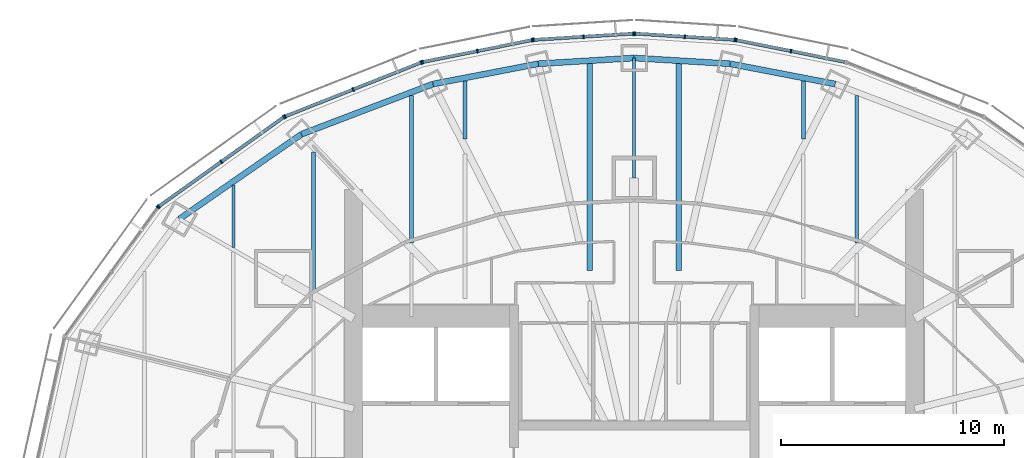
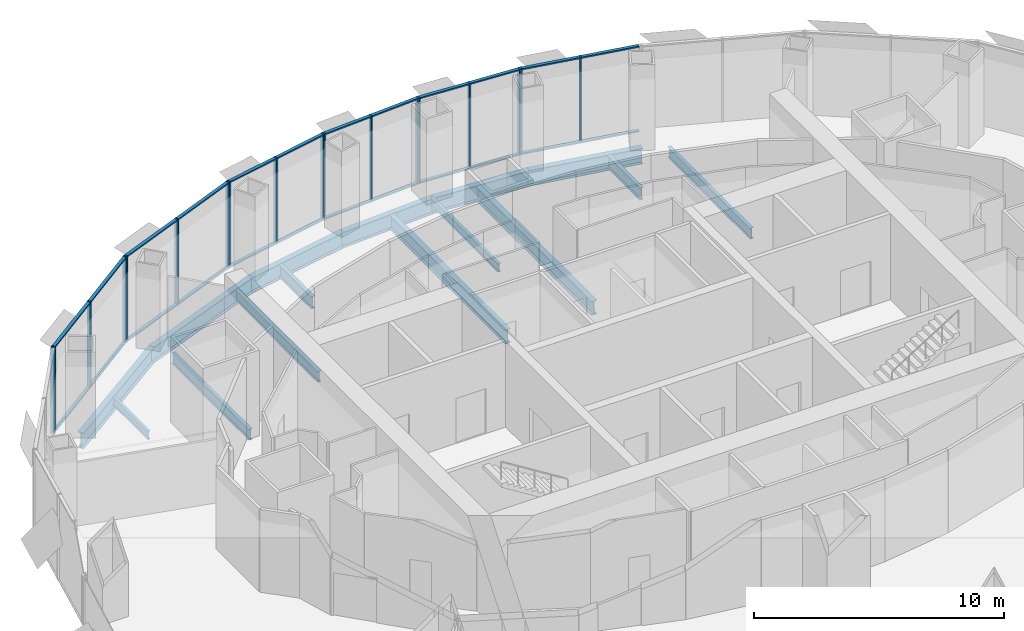
# One storey, part 8 of 17: 42 members, 15 beams, 7 elements without a shape of their own.
"""IFC4 building model written with IfcOpenShell, lengths in metres."""

from ifc_helpers import new_model, si_unit, direction, frame, origin, origin_2d, place, context, subcontext, project, spatial, rectangle, i_section, extrude, material, material_profile, profile_set, type_object, element, aggregate, save


model = new_model("IFC4")

# Units and contexts
model_context = context("Model", 3, precision=1e-05, world=origin(), true_north=direction((0.0, 1.0)))
body_context = subcontext(model_context, "Body", "Model", "MODEL_VIEW")
ifc_project = project(units=[si_unit("LENGTHUNIT", "METRE"), si_unit("AREAUNIT", "SQUARE_METRE"), si_unit("VOLUMEUNIT", "CUBIC_METRE"), si_unit("PLANEANGLEUNIT", "RADIAN"), si_unit("MASSUNIT", "GRAM", prefix="KILO")], contexts=[model_context])

# Site, building, storey
site_placement = place(None, origin())
site = spatial("IfcSite", under=ifc_project, at=site_placement, CompositionType="ELEMENT")
building_placement = place(site_placement, origin())
building = spatial("IfcBuilding", under=site, at=building_placement, Name="Lantaw Convention Tower", CompositionType="ELEMENT")
storey_placement = place(building_placement, frame((0.0, 0.0, 211.60009765625)))
storey = spatial("IfcBuildingStorey", under=building, at=storey_placement, Name="L49", CompositionType="ELEMENT", Elevation=211.60009765625)

# Beams
ifc_material_1 = material(Name="Steel ASTM A992", Category="steel")
ifc_material_profile_1 = material_profile(ifc_material_1, i_section(OverallWidth=0.2666015625, OverallDepth=0.76953125, WebThickness=0.015625, FlangeThickness=0.025390625, FilletRadius=0.0126953125, at=origin_2d()), Name="W30X132")
ifc_profile_set_1 = profile_set([ifc_material_profile_1], Name="Steel ASTM A992")
beam_type_1 = type_object("IfcBeamType", Name="Beam E W30X132", PredefinedType="SPANDREL", material=ifc_profile_set_1)
beam_1_placement = place(storey_placement, frame((9.03466796875, 17.7314453125, -0.534912109375), z_axis=(-0.981972091702, 0.189025953556, 0.0), x_axis=(-0.189025953556, -0.981972091702, 0.0)))
element("IfcBeam", 1, at=beam_1_placement, inside=storey, type_object=beam_type_1, Name="Edge beam 5", PredefinedType="SPANDREL", context=body_context, shape_type="SweptSolid", body=[
    extrude(i_section(OverallWidth=0.2666015625, OverallDepth=0.76953125, WebThickness=0.015625, FlangeThickness=0.025390625, FilletRadius=0.0126953125, at=origin_2d()), origin(), (0.0, 0.0, 1.0), 4.817626953125),
])
for number, where, z_axis, x_axis, name in (
    (2, (4.303955078125, 18.64208984375, -0.534912109375), (-0.998210730897, 0.059794119452, 0.0), (-0.059794119452, -0.998210730897, 0.0), "Edge beam 6"),
    (3, (0.0, 18.89990234375, -0.534912109375), (-0.998210730897, -0.059794119452, 0.0), (0.059794119452, -0.998210730897, 0.0), "Edge beam 7"),
):
    element("IfcBeam", number, at=place(storey_placement, frame(where, z_axis=z_axis, x_axis=x_axis)), inside=storey, type_object=beam_type_1, Name=name, PredefinedType="SPANDREL", context=body_context, shape_type="SweptSolid", body=[
        extrude(i_section(OverallWidth=0.2666015625, OverallDepth=0.76953125, WebThickness=0.015625, FlangeThickness=0.025390625, FilletRadius=0.0126953125, at=origin_2d()), origin(), (0.0, 0.0, 1.0), 4.311767578125),
    ])
beam_2_placement = place(storey_placement, frame((-4.303955078125, 18.64208984375, -0.534912109375), z_axis=(-0.981972091702, -0.189025953556, 0.0), x_axis=(0.189025953556, -0.981972091702, 0.0)))
element("IfcBeam", 4, at=beam_2_placement, inside=storey, type_object=beam_type_1, Name="Edge beam 8", PredefinedType="SPANDREL", context=body_context, shape_type="SweptSolid", body=[
    extrude(i_section(OverallWidth=0.2666015625, OverallDepth=0.76953125, WebThickness=0.015625, FlangeThickness=0.025390625, FilletRadius=0.0126953125, at=origin_2d()), origin(), (0.0, 0.0, 1.0), 4.817626953125),
])
beam_3_placement = place(storey_placement, frame((-9.03466796875, 17.7314453125, -0.534912109375), z_axis=(-0.934234988, -0.356658081637, 0.0), x_axis=(0.356658081637, -0.934234988, 0.0)))
element("IfcBeam", 5, at=beam_3_placement, inside=storey, type_object=beam_type_1, Name="Edge beam 9", PredefinedType="SPANDREL", context=body_context, shape_type="SweptSolid", body=[
    extrude(i_section(OverallWidth=0.2666015625, OverallDepth=0.76953125, WebThickness=0.015625, FlangeThickness=0.025390625, FilletRadius=0.0126953125, at=origin_2d()), origin(), (0.0, 0.0, 1.0), 6.32568359375),
])
beam_4_placement = place(storey_placement, frame((-14.9443359375, 15.475341796875, -0.534912109375), z_axis=(-0.82135329406, -0.570419815869, 0.0), x_axis=(0.570419815869, -0.82135329406, 0.0)))
element("IfcBeam", 6, at=beam_4_placement, inside=storey, type_object=beam_type_1, Name="Edge beam 10", PredefinedType="SPANDREL", context=body_context, shape_type="SweptSolid", body=[
    extrude(i_section(OverallWidth=0.2666015625, OverallDepth=0.76953125, WebThickness=0.015625, FlangeThickness=0.025390625, FilletRadius=0.0126953125, at=origin_2d()), origin(), (0.0, 0.0, 1.0), 6.67041015625),
])
ifc_material_profile_2 = material_profile(ifc_material_1, i_section(OverallWidth=0.140380859375, OverallDepth=0.40380859375, WebThickness=0.007080078125, FlangeThickness=0.01123046875, FilletRadius=0.01025390625, at=origin_2d()), Name="W16X31")
ifc_profile_set_2 = profile_set([ifc_material_profile_2], Name="Steel ASTM A992")
beam_type_2 = type_object("IfcBeamType", Name="Beam G W16X31", PredefinedType="BEAM", material=ifc_profile_set_2)
beam_5_placement = place(storey_placement, frame((0.0, 13.5, -0.35205078125), z_axis=(0.0, 1.0, 0.0), x_axis=(-1.0, 0.0, 0.0)))
element("IfcBeam", 7, at=beam_5_placement, inside=storey, type_object=beam_type_2, Name="Floor girder on ray 7", PredefinedType="BEAM", context=body_context, shape_type="SweptSolid", body=[
    extrude(i_section(OverallWidth=0.140380859375, OverallDepth=0.40380859375, WebThickness=0.007080078125, FlangeThickness=0.01123046875, FilletRadius=0.01025390625, at=origin_2d()), origin(), (0.0, 0.0, 1.0), 5.39990234375),
])
ifc_material_profile_3 = material_profile(ifc_material_1, i_section(OverallWidth=0.140380859375, OverallDepth=0.40380859375, WebThickness=0.007080078125, FlangeThickness=0.01123046875, FilletRadius=0.01025390625, at=origin_2d()), Name="W16X31")
ifc_profile_set_3 = profile_set([ifc_material_profile_3], Name="Steel ASTM A992")
beam_type_3 = type_object("IfcBeamType", Name="Beam J W16X31", PredefinedType="JOIST", material=ifc_profile_set_3)
beam_6_placement = place(storey_placement, frame((-18.0, 10.380859375, -0.35205078125), z_axis=(0.0, 1.0, 0.0), x_axis=(-1.0, 0.0, 0.0)))
element("IfcBeam", 8, at=beam_6_placement, inside=storey, type_object=beam_type_3, Name="Floor joist", PredefinedType="JOIST", context=body_context, shape_type="SweptSolid", body=[
    extrude(i_section(OverallWidth=0.140380859375, OverallDepth=0.40380859375, WebThickness=0.007080078125, FlangeThickness=0.01123046875, FilletRadius=0.01025390625, at=origin_2d()), origin(), (0.0, 0.0, 1.0), 2.81005859375),
])
ifc_material_profile_4 = material_profile(ifc_material_1, i_section(OverallWidth=0.1650390625, OverallDepth=0.52587890625, WebThickness=0.0087890625, FlangeThickness=0.011474609375, FilletRadius=0.0126953125, at=origin_2d()), Name="W21X44")
ifc_profile_set_4 = profile_set([ifc_material_profile_4], Name="Steel ASTM A992")
beam_type_4 = type_object("IfcBeamType", Name="Beam J W21X44", PredefinedType="JOIST", material=ifc_profile_set_4)
beam_7_placement = place(storey_placement, frame((-14.39990234375, 8.461181640625, -0.4130859375), z_axis=(0.0, 1.0, 0.0), x_axis=(-1.0, 0.0, 0.0)))
element("IfcBeam", 9, at=beam_7_placement, inside=storey, type_object=beam_type_4, Name="Floor joist", PredefinedType="JOIST", context=body_context, shape_type="SweptSolid", body=[
    extrude(i_section(OverallWidth=0.1650390625, OverallDepth=0.52587890625, WebThickness=0.0087890625, FlangeThickness=0.011474609375, FilletRadius=0.0126953125, at=origin_2d()), origin(), (0.0, 0.0, 1.0), 6.214599609375),
])
for number, where, z_axis, x_axis, name in (
    (10, (-10.0, 10.591064453125, -0.4130859375), (0.0, 1.0, 0.0), (-1.0, 0.0, 0.0), "Floor joist"),
    (11, (10.0, 10.591064453125, -0.4130859375), (0.0, 1.0, 0.0), (-1.0, 0.0, 0.0), "Floor joist"),
):
    element("IfcBeam", number, at=place(storey_placement, frame(where, z_axis=z_axis, x_axis=x_axis)), inside=storey, type_object=beam_type_4, Name=name, PredefinedType="JOIST", context=body_context, shape_type="SweptSolid", body=[
        extrude(i_section(OverallWidth=0.1650390625, OverallDepth=0.52587890625, WebThickness=0.0087890625, FlangeThickness=0.011474609375, FilletRadius=0.0126953125, at=origin_2d()), origin(), (0.0, 0.0, 1.0), 6.629150390625),
    ])
ifc_material_profile_5 = material_profile(ifc_material_1, i_section(OverallWidth=0.177978515625, OverallDepth=0.599365234375, WebThickness=0.010009765625, FlangeThickness=0.012939453125, FilletRadius=0.012939453125, at=origin_2d()), Name="W24X55")
ifc_profile_set_5 = profile_set([ifc_material_profile_5], Name="Steel ASTM A992")
beam_type_5 = type_object("IfcBeamType", Name="Beam J W24X55", PredefinedType="JOIST", material=ifc_profile_set_5)
for number, where, z_axis, x_axis, name in (
    (12, (-7.60009765625, 15.25439453125, -0.44970703125), (0.0, 1.0, 0.0), (-1.0, 0.0, 0.0), "Floor joist"),
    (13, (7.60009765625, 15.25439453125, -0.44970703125), (0.0, 1.0, 0.0), (-1.0, 0.0, 0.0), "Floor joist"),
):
    element("IfcBeam", number, at=place(storey_placement, frame(where, z_axis=z_axis, x_axis=x_axis)), inside=storey, type_object=beam_type_5, Name=name, PredefinedType="JOIST", context=body_context, shape_type="SweptSolid", body=[
        extrude(i_section(OverallWidth=0.177978515625, OverallDepth=0.599365234375, WebThickness=0.010009765625, FlangeThickness=0.012939453125, FilletRadius=0.012939453125, at=origin_2d()), origin(), (0.0, 0.0, 1.0), 2.617431640625),
    ])
ifc_material_profile_6 = material_profile(ifc_material_1, i_section(OverallWidth=0.25390625, OverallDepth=0.683349609375, WebThickness=0.012451171875, FlangeThickness=0.01904296875, FilletRadius=0.01513671875, at=origin_2d()), Name="W27X94")
ifc_profile_set_6 = profile_set([ifc_material_profile_6], Name="Steel ASTM A992")
beam_type_6 = type_object("IfcBeamType", Name="Beam J W27X94", PredefinedType="JOIST", material=ifc_profile_set_6)
for number, where, z_axis, x_axis, name in (
    (14, (-2.0, 9.34619140625, -0.49169921875), (0.0, 1.0, 0.0), (-1.0, 0.0, 0.0), "Floor joist"),
    (15, (2.0, 9.34619140625, -0.49169921875), (0.0, 1.0, 0.0), (-1.0, 0.0, 0.0), "Floor joist"),
):
    element("IfcBeam", number, at=place(storey_placement, frame(where, z_axis=z_axis, x_axis=x_axis)), inside=storey, type_object=beam_type_6, Name=name, PredefinedType="JOIST", context=body_context, shape_type="SweptSolid", body=[
        extrude(i_section(OverallWidth=0.25390625, OverallDepth=0.683349609375, WebThickness=0.012451171875, FlangeThickness=0.01904296875, FilletRadius=0.01513671875, at=origin_2d()), origin(), (0.0, 0.0, 1.0), 9.30029296875),
    ])

# Curtain wall, members
ifc_material_2 = material(Name="Aluminium framed curtain wall", Category="aluminium")
curtain_wall_type = type_object("IfcCurtainWallType", Name="Office curtain wall high rise, pale aluminium", PredefinedType="USERDEFINED", material=ifc_material_2)
curtain_wall_1_placement = place(storey_placement, origin())
curtain_wall_1 = element("IfcCurtainWall", 16, at=curtain_wall_1_placement, inside=storey, type_object=curtain_wall_type, Name="Office curtain wall high rise, pale aluminium L49", ObjectType="UNITISED CURTAIN WALL", PredefinedType="USERDEFINED")
ifc_material_3 = material(Name="Aluminium 6063-T6", Category="aluminium")
ifc_material_profile_7 = material_profile(ifc_material_3, rectangle(XDim=0.179931640625, YDim=0.06494140625, at=origin_2d()), Name="CW-O2 mullion 65x180")
ifc_profile_set_7 = profile_set([ifc_material_profile_7], Name="Aluminium 6063-T6")
member_type_1 = type_object("IfcMemberType", Name="CW-O2 mullion 65x180", PredefinedType="MULLION", material=ifc_profile_set_7)
member_1_placement = place(storey_placement, frame((7.042724609375, 19.212646484375, -0.150146484375), z_axis=(0.0, 0.0, 1.0), x_axis=(-0.197183095987, -0.980366679695, 0.0)))
member_1 = element("IfcMember", 17, at=member_1_placement, type_object=member_type_1, Name="CW-O2 mullion 2", PredefinedType="MULLION", context=body_context, shape_type="SweptSolid", body=[
    extrude(rectangle(XDim=0.179931640625, YDim=0.06494140625, at=origin_2d()), origin(), (0.0, 0.0, 1.0), 4.199951171875),
])
member_2_placement = place(storey_placement, frame((4.583251953125, 19.70751953125, -0.150146484375), z_axis=(0.0, 0.0, 1.0), x_axis=(-0.197183095987, -0.980366679695, 0.0)))
member_2 = element("IfcMember", 18, at=member_2_placement, type_object=member_type_1, Name="CW-O2 mullion 3", PredefinedType="MULLION", context=body_context, shape_type="SweptSolid", body=[
    extrude(rectangle(XDim=0.179931640625, YDim=0.06494140625, at=origin_2d()), origin(), (0.0, 0.0, 1.0), 4.199951171875),
])

curtain_wall_2_placement = place(storey_placement, origin())
curtain_wall_2 = element("IfcCurtainWall", 19, at=curtain_wall_2_placement, inside=storey, type_object=curtain_wall_type, Name="Office curtain wall high rise, pale aluminium L49", ObjectType="UNITISED CURTAIN WALL", PredefinedType="USERDEFINED")
member_3_placement = place(storey_placement, frame((4.518798828125, 19.7158203125, -0.150146484375), z_axis=(0.0, 0.0, 1.0), x_axis=(-0.062757983884, -0.998028774865, 0.0)))
member_3 = element("IfcMember", 20, at=member_3_placement, type_object=member_type_1, Name="CW-O2 mullion 1", PredefinedType="MULLION", context=body_context, shape_type="SweptSolid", body=[
    extrude(rectangle(XDim=0.179931640625, YDim=0.06494140625, at=origin_2d()), origin(), (0.0, 0.0, 1.0), 4.199951171875),
])
member_4_placement = place(storey_placement, frame((2.275634765625, 19.85693359375, -0.150146484375), z_axis=(0.0, 0.0, 1.0), x_axis=(-0.062757983884, -0.998028774865, 0.0)))
member_4 = element("IfcMember", 21, at=member_4_placement, type_object=member_type_1, Name="CW-O2 mullion 2", PredefinedType="MULLION", context=body_context, shape_type="SweptSolid", body=[
    extrude(rectangle(XDim=0.179931640625, YDim=0.06494140625, at=origin_2d()), origin(), (0.0, 0.0, 1.0), 4.199951171875),
])
member_5_placement = place(storey_placement, frame((0.032470703125, 19.998046875, -0.150146484375), z_axis=(0.0, 0.0, 1.0), x_axis=(-0.062757983884, -0.998028774865, 0.0)))
member_5 = element("IfcMember", 22, at=member_5_placement, type_object=member_type_1, Name="CW-O2 mullion 3", PredefinedType="MULLION", context=body_context, shape_type="SweptSolid", body=[
    extrude(rectangle(XDim=0.179931640625, YDim=0.06494140625, at=origin_2d()), origin(), (0.0, 0.0, 1.0), 4.199951171875),
])

curtain_wall_3_placement = place(storey_placement, origin())
curtain_wall_3 = element("IfcCurtainWall", 23, at=curtain_wall_3_placement, inside=storey, type_object=curtain_wall_type, Name="Office curtain wall high rise, pale aluminium L49", ObjectType="UNITISED CURTAIN WALL", PredefinedType="USERDEFINED")
member_6_placement = place(storey_placement, frame((-0.032470703125, 19.998046875, -0.150146484375), z_axis=(0.0, 0.0, 1.0), x_axis=(0.062757983884, -0.998028774865, 0.0)))
member_6 = element("IfcMember", 24, at=member_6_placement, type_object=member_type_1, Name="CW-O2 mullion 1", PredefinedType="MULLION", context=body_context, shape_type="SweptSolid", body=[
    extrude(rectangle(XDim=0.179931640625, YDim=0.06494140625, at=origin_2d()), origin(), (0.0, 0.0, 1.0), 4.199951171875),
])
member_7_placement = place(storey_placement, frame((-2.275634765625, 19.85693359375, -0.150146484375), z_axis=(0.0, 0.0, 1.0), x_axis=(0.062757983884, -0.998028774865, 0.0)))
member_7 = element("IfcMember", 25, at=member_7_placement, type_object=member_type_1, Name="CW-O2 mullion 2", PredefinedType="MULLION", context=body_context, shape_type="SweptSolid", body=[
    extrude(rectangle(XDim=0.179931640625, YDim=0.06494140625, at=origin_2d()), origin(), (0.0, 0.0, 1.0), 4.199951171875),
])
member_8_placement = place(storey_placement, frame((-4.518798828125, 19.7158203125, -0.150146484375), z_axis=(0.0, 0.0, 1.0), x_axis=(0.062757983884, -0.998028774865, 0.0)))
member_8 = element("IfcMember", 26, at=member_8_placement, type_object=member_type_1, Name="CW-O2 mullion 3", PredefinedType="MULLION", context=body_context, shape_type="SweptSolid", body=[
    extrude(rectangle(XDim=0.179931640625, YDim=0.06494140625, at=origin_2d()), origin(), (0.0, 0.0, 1.0), 4.199951171875),
])

curtain_wall_4_placement = place(storey_placement, origin())
curtain_wall_4 = element("IfcCurtainWall", 27, at=curtain_wall_4_placement, inside=storey, type_object=curtain_wall_type, Name="Office curtain wall high rise, pale aluminium L49", ObjectType="UNITISED CURTAIN WALL", PredefinedType="USERDEFINED")
member_9_placement = place(storey_placement, frame((-4.583251953125, 19.70751953125, -0.150146484375), z_axis=(0.0, 0.0, 1.0), x_axis=(0.197183095987, -0.980366679695, 0.0)))
member_9 = element("IfcMember", 28, at=member_9_placement, type_object=member_type_1, Name="CW-O2 mullion 1", PredefinedType="MULLION", context=body_context, shape_type="SweptSolid", body=[
    extrude(rectangle(XDim=0.179931640625, YDim=0.06494140625, at=origin_2d()), origin(), (0.0, 0.0, 1.0), 4.199951171875),
])
member_10_placement = place(storey_placement, frame((-7.042724609375, 19.212646484375, -0.150146484375), z_axis=(0.0, 0.0, 1.0), x_axis=(0.197183095987, -0.980366679695, 0.0)))
member_10 = element("IfcMember", 29, at=member_10_placement, type_object=member_type_1, Name="CW-O2 mullion 2", PredefinedType="MULLION", context=body_context, shape_type="SweptSolid", body=[
    extrude(rectangle(XDim=0.179931640625, YDim=0.06494140625, at=origin_2d()), origin(), (0.0, 0.0, 1.0), 4.199951171875),
])
member_11_placement = place(storey_placement, frame((-9.502197265625, 18.718017578125, -0.150146484375), z_axis=(0.0, 0.0, 1.0), x_axis=(0.197183095987, -0.980366679695, 0.0)))
member_11 = element("IfcMember", 30, at=member_11_placement, type_object=member_type_1, Name="CW-O2 mullion 3", PredefinedType="MULLION", context=body_context, shape_type="SweptSolid", body=[
    extrude(rectangle(XDim=0.179931640625, YDim=0.06494140625, at=origin_2d()), origin(), (0.0, 0.0, 1.0), 4.199951171875),
])

curtain_wall_5_placement = place(storey_placement, origin())
curtain_wall_5 = element("IfcCurtainWall", 31, at=curtain_wall_5_placement, inside=storey, type_object=curtain_wall_type, Name="Office curtain wall high rise, pale aluminium L49", ObjectType="UNITISED CURTAIN WALL", PredefinedType="USERDEFINED")
member_12_placement = place(storey_placement, frame((-9.564208984375, 18.69970703125, -0.150146484375), z_axis=(0.0, 0.0, 1.0), x_axis=(0.368162315252, -0.929761533743, 0.0)))
member_12 = element("IfcMember", 32, at=member_12_placement, type_object=member_type_1, Name="CW-O2 mullion 1", PredefinedType="MULLION", context=body_context, shape_type="SweptSolid", body=[
    extrude(rectangle(XDim=0.179931640625, YDim=0.06494140625, at=origin_2d()), origin(), (0.0, 0.0, 1.0), 4.199951171875),
])
member_13_placement = place(storey_placement, frame((-12.621337890625, 17.4892578125, -0.150146484375), z_axis=(0.0, 0.0, 1.0), x_axis=(0.368162315252, -0.929761533743, 0.0)))
member_13 = element("IfcMember", 33, at=member_13_placement, type_object=member_type_1, Name="CW-O2 mullion 2", PredefinedType="MULLION", context=body_context, shape_type="SweptSolid", body=[
    extrude(rectangle(XDim=0.179931640625, YDim=0.06494140625, at=origin_2d()), origin(), (0.0, 0.0, 1.0), 4.199951171875),
])
member_14_placement = place(storey_placement, frame((-15.67822265625, 16.278564453125, -0.150146484375), z_axis=(0.0, 0.0, 1.0), x_axis=(0.368162315252, -0.929761533743, 0.0)))
member_14 = element("IfcMember", 34, at=member_14_placement, type_object=member_type_1, Name="CW-O2 mullion 3", PredefinedType="MULLION", context=body_context, shape_type="SweptSolid", body=[
    extrude(rectangle(XDim=0.179931640625, YDim=0.06494140625, at=origin_2d()), origin(), (0.0, 0.0, 1.0), 4.199951171875),
])

curtain_wall_6_placement = place(storey_placement, origin())
curtain_wall_6 = element("IfcCurtainWall", 35, at=curtain_wall_6_placement, inside=storey, type_object=curtain_wall_type, Name="Office curtain wall high rise, pale aluminium L49", ObjectType="UNITISED CURTAIN WALL", PredefinedType="USERDEFINED")
member_15_placement = place(storey_placement, frame((-15.73486328125, 16.247802734375, -0.150146484375), z_axis=(0.0, 0.0, 1.0), x_axis=(0.581323487281, -0.813672540482, 0.0)))
member_15 = element("IfcMember", 36, at=member_15_placement, type_object=member_type_1, Name="CW-O2 mullion 1", PredefinedType="MULLION", context=body_context, shape_type="SweptSolid", body=[
    extrude(rectangle(XDim=0.179931640625, YDim=0.06494140625, at=origin_2d()), origin(), (0.0, 0.0, 1.0), 4.199951171875),
])
member_16_placement = place(storey_placement, frame((-18.543212890625, 14.241455078125, -0.150146484375), z_axis=(0.0, 0.0, 1.0), x_axis=(0.581323487281, -0.813672540482, 0.0)))
member_16 = element("IfcMember", 37, at=member_16_placement, type_object=member_type_1, Name="CW-O2 mullion 2", PredefinedType="MULLION", context=body_context, shape_type="SweptSolid", body=[
    extrude(rectangle(XDim=0.179931640625, YDim=0.06494140625, at=origin_2d()), origin(), (0.0, 0.0, 1.0), 4.199951171875),
])
member_17_placement = place(storey_placement, frame((-21.3515625, 12.23486328125, -0.150146484375), z_axis=(0.0, 0.0, 1.0), x_axis=(0.581323487281, -0.813672540482, 0.0)))
member_17 = element("IfcMember", 38, at=member_17_placement, type_object=member_type_1, Name="CW-O2 mullion 3", PredefinedType="MULLION", context=body_context, shape_type="SweptSolid", body=[
    extrude(rectangle(XDim=0.179931640625, YDim=0.06494140625, at=origin_2d()), origin(), (0.0, 0.0, 1.0), 4.199951171875),
])

# Curtain wall, member
curtain_wall_7_placement = place(storey_placement, origin())
curtain_wall_7 = element("IfcCurtainWall", 39, at=curtain_wall_7_placement, inside=storey, type_object=curtain_wall_type, Name="Office curtain wall high rise, pale aluminium L49", ObjectType="UNITISED CURTAIN WALL", PredefinedType="USERDEFINED")
member_18_placement = place(storey_placement, frame((-21.397216796875, 12.189697265625, -0.150146484375), z_axis=(0.0, 0.0, 1.0), x_axis=(0.810919559405, -0.585157643865, 0.0)))
member_18 = element("IfcMember", 40, at=member_18_placement, type_object=member_type_1, Name="CW-O2 mullion 1", PredefinedType="MULLION", context=body_context, shape_type="SweptSolid", body=[
    extrude(rectangle(XDim=0.179931640625, YDim=0.06494140625, at=origin_2d()), origin(), (0.0, 0.0, 1.0), 4.199951171875),
])
aggregate(curtain_wall_7, [member_18])

# Member
ifc_material_profile_8 = material_profile(ifc_material_3, rectangle(XDim=0.14990234375, YDim=0.06494140625, at=origin_2d()), Name="CW-O2 transom 65x150")
ifc_profile_set_8 = profile_set([ifc_material_profile_8], Name="Aluminium 6063-T6")
member_type_2 = type_object("IfcMemberType", Name="CW-O2 transom 65x150", PredefinedType="USERDEFINED", material=ifc_profile_set_8)
member_19_placement = place(storey_placement, frame((9.47021484375, 18.724365234375, -0.11767578125), z_axis=(-0.98036104319, 0.197211117829, 0.0), x_axis=(-0.197211117829, -0.98036104319, 0.0)))
member_19 = element("IfcMember", 41, at=member_19_placement, type_object=member_type_2, Name="CW-O2 transom 1.1", ObjectType="TRANSOM", PredefinedType="USERDEFINED", context=body_context, shape_type="SweptSolid", body=[
    extrude(rectangle(XDim=0.14990234375, YDim=0.06494140625, at=origin_2d()), origin(), (0.0, 0.0, 1.0), 2.44384765625),
])

member_20_placement = place(storey_placement, frame((9.47021484375, 18.724365234375, 4.017333984375), z_axis=(-0.98036104319, 0.197211117829, 0.0), x_axis=(-0.197211117829, -0.98036104319, 0.0)))
member_20 = element("IfcMember", 42, at=member_20_placement, type_object=member_type_2, Name="CW-O2 transom 1.2", ObjectType="TRANSOM", PredefinedType="USERDEFINED", context=body_context, shape_type="SweptSolid", body=[
    extrude(rectangle(XDim=0.14990234375, YDim=0.06494140625, at=origin_2d()), origin(), (0.0, 0.0, 1.0), 2.44384765625),
])

member_21_placement = place(storey_placement, frame((7.0107421875, 19.21923828125, -0.11767578125), z_axis=(-0.980380354178, 0.197115096178, 0.0), x_axis=(-0.197115096178, -0.980380354178, 0.0)))
member_21 = element("IfcMember", 43, at=member_21_placement, type_object=member_type_2, Name="CW-O2 transom 2.1", ObjectType="TRANSOM", PredefinedType="USERDEFINED", context=body_context, shape_type="SweptSolid", body=[
    extrude(rectangle(XDim=0.14990234375, YDim=0.06494140625, at=origin_2d()), origin(), (0.0, 0.0, 1.0), 2.443603515625),
])

member_22_placement = place(storey_placement, frame((7.0107421875, 19.21923828125, 4.017333984375), z_axis=(-0.980380354178, 0.197115096178, 0.0), x_axis=(-0.197115096178, -0.980380354178, 0.0)))
member_22 = element("IfcMember", 44, at=member_22_placement, type_object=member_type_2, Name="CW-O2 transom 2.2", ObjectType="TRANSOM", PredefinedType="USERDEFINED", context=body_context, shape_type="SweptSolid", body=[
    extrude(rectangle(XDim=0.14990234375, YDim=0.06494140625, at=origin_2d()), origin(), (0.0, 0.0, 1.0), 2.443603515625),
])

aggregate(curtain_wall_1, [member_1, member_2, member_19, member_20, member_21, member_22])

member_23_placement = place(storey_placement, frame((4.486328125, 19.7177734375, -0.11767578125), z_axis=(-0.998021991509, 0.062865765437, 0.0), x_axis=(-0.062865765437, -0.998021991509, 0.0)))
member_23 = element("IfcMember", 45, at=member_23_placement, type_object=member_type_2, Name="CW-O2 transom 1.1", ObjectType="TRANSOM", PredefinedType="USERDEFINED", context=body_context, shape_type="SweptSolid", body=[
    extrude(rectangle(XDim=0.14990234375, YDim=0.06494140625, at=origin_2d()), origin(), (0.0, 0.0, 1.0), 2.1826171875),
])

member_24_placement = place(storey_placement, frame((4.486328125, 19.7177734375, 4.017333984375), z_axis=(-0.998021991509, 0.062865765437, 0.0), x_axis=(-0.062865765437, -0.998021991509, 0.0)))
member_24 = element("IfcMember", 46, at=member_24_placement, type_object=member_type_2, Name="CW-O2 transom 1.2", ObjectType="TRANSOM", PredefinedType="USERDEFINED", context=body_context, shape_type="SweptSolid", body=[
    extrude(rectangle(XDim=0.14990234375, YDim=0.06494140625, at=origin_2d()), origin(), (0.0, 0.0, 1.0), 2.1826171875),
])

member_25_placement = place(storey_placement, frame((2.2431640625, 19.85888671875, -0.11767578125), z_axis=(-0.998029003644, 0.062754345555, 0.0), x_axis=(-0.062754345555, -0.998029003644, 0.0)))
member_25 = element("IfcMember", 47, at=member_25_placement, type_object=member_type_2, Name="CW-O2 transom 2.1", ObjectType="TRANSOM", PredefinedType="USERDEFINED", context=body_context, shape_type="SweptSolid", body=[
    extrude(rectangle(XDim=0.14990234375, YDim=0.06494140625, at=origin_2d()), origin(), (0.0, 0.0, 1.0), 2.1826171875),
])

member_26_placement = place(storey_placement, frame((2.2431640625, 19.85888671875, 4.017333984375), z_axis=(-0.998029003644, 0.062754345555, 0.0), x_axis=(-0.062754345555, -0.998029003644, 0.0)))
member_26 = element("IfcMember", 48, at=member_26_placement, type_object=member_type_2, Name="CW-O2 transom 2.2", ObjectType="TRANSOM", PredefinedType="USERDEFINED", context=body_context, shape_type="SweptSolid", body=[
    extrude(rectangle(XDim=0.14990234375, YDim=0.06494140625, at=origin_2d()), origin(), (0.0, 0.0, 1.0), 2.1826171875),
])

aggregate(curtain_wall_2, [member_3, member_4, member_5, member_23, member_24, member_25, member_26])

member_27_placement = place(storey_placement, frame((-0.06494140625, 19.995849609375, -0.11767578125), z_axis=(-0.998029003644, -0.062754345555, 0.0), x_axis=(0.062754345555, -0.998029003644, 0.0)))
member_27 = element("IfcMember", 49, at=member_27_placement, type_object=member_type_2, Name="CW-O2 transom 1.1", ObjectType="TRANSOM", PredefinedType="USERDEFINED", context=body_context, shape_type="SweptSolid", body=[
    extrude(rectangle(XDim=0.14990234375, YDim=0.06494140625, at=origin_2d()), origin(), (0.0, 0.0, 1.0), 2.1826171875),
])

member_28_placement = place(storey_placement, frame((-0.06494140625, 19.995849609375, 4.017333984375), z_axis=(-0.998029003644, -0.062754345555, 0.0), x_axis=(0.062754345555, -0.998029003644, 0.0)))
member_28 = element("IfcMember", 50, at=member_28_placement, type_object=member_type_2, Name="CW-O2 transom 1.2", ObjectType="TRANSOM", PredefinedType="USERDEFINED", context=body_context, shape_type="SweptSolid", body=[
    extrude(rectangle(XDim=0.14990234375, YDim=0.06494140625, at=origin_2d()), origin(), (0.0, 0.0, 1.0), 2.1826171875),
])

member_29_placement = place(storey_placement, frame((-2.30810546875, 19.85498046875, -0.11767578125), z_axis=(-0.998021991509, -0.062865765437, 0.0), x_axis=(0.062865765437, -0.998021991509, 0.0)))
member_29 = element("IfcMember", 51, at=member_29_placement, type_object=member_type_2, Name="CW-O2 transom 2.1", ObjectType="TRANSOM", PredefinedType="USERDEFINED", context=body_context, shape_type="SweptSolid", body=[
    extrude(rectangle(XDim=0.14990234375, YDim=0.06494140625, at=origin_2d()), origin(), (0.0, 0.0, 1.0), 2.1826171875),
])

member_30_placement = place(storey_placement, frame((-2.30810546875, 19.85498046875, 4.017333984375), z_axis=(-0.998021991509, -0.062865765437, 0.0), x_axis=(0.062865765437, -0.998021991509, 0.0)))
member_30 = element("IfcMember", 52, at=member_30_placement, type_object=member_type_2, Name="CW-O2 transom 2.2", ObjectType="TRANSOM", PredefinedType="USERDEFINED", context=body_context, shape_type="SweptSolid", body=[
    extrude(rectangle(XDim=0.14990234375, YDim=0.06494140625, at=origin_2d()), origin(), (0.0, 0.0, 1.0), 2.1826171875),
])

aggregate(curtain_wall_3, [member_6, member_7, member_8, member_27, member_28, member_29, member_30])

member_31_placement = place(storey_placement, frame((-4.614990234375, 19.700927734375, -0.11767578125), z_axis=(-0.980380354178, -0.197115096178, 0.0), x_axis=(0.197115096178, -0.980380354178, 0.0)))
member_31 = element("IfcMember", 53, at=member_31_placement, type_object=member_type_2, Name="CW-O2 transom 1.1", ObjectType="TRANSOM", PredefinedType="USERDEFINED", context=body_context, shape_type="SweptSolid", body=[
    extrude(rectangle(XDim=0.14990234375, YDim=0.06494140625, at=origin_2d()), origin(), (0.0, 0.0, 1.0), 2.443603515625),
])

member_32_placement = place(storey_placement, frame((-4.614990234375, 19.700927734375, 4.017333984375), z_axis=(-0.980380354178, -0.197115096178, 0.0), x_axis=(0.197115096178, -0.980380354178, 0.0)))
member_32 = element("IfcMember", 54, at=member_32_placement, type_object=member_type_2, Name="CW-O2 transom 1.2", ObjectType="TRANSOM", PredefinedType="USERDEFINED", context=body_context, shape_type="SweptSolid", body=[
    extrude(rectangle(XDim=0.14990234375, YDim=0.06494140625, at=origin_2d()), origin(), (0.0, 0.0, 1.0), 2.443603515625),
])

member_33_placement = place(storey_placement, frame((-7.074462890625, 19.206298828125, -0.11767578125), z_axis=(-0.98036104319, -0.197211117829, 0.0), x_axis=(0.197211117829, -0.98036104319, 0.0)))
member_33 = element("IfcMember", 55, at=member_33_placement, type_object=member_type_2, Name="CW-O2 transom 2.1", ObjectType="TRANSOM", PredefinedType="USERDEFINED", context=body_context, shape_type="SweptSolid", body=[
    extrude(rectangle(XDim=0.14990234375, YDim=0.06494140625, at=origin_2d()), origin(), (0.0, 0.0, 1.0), 2.44384765625),
])

member_34_placement = place(storey_placement, frame((-7.074462890625, 19.206298828125, 4.017333984375), z_axis=(-0.98036104319, -0.197211117829, 0.0), x_axis=(0.197211117829, -0.98036104319, 0.0)))
member_34 = element("IfcMember", 56, at=member_34_placement, type_object=member_type_2, Name="CW-O2 transom 2.2", ObjectType="TRANSOM", PredefinedType="USERDEFINED", context=body_context, shape_type="SweptSolid", body=[
    extrude(rectangle(XDim=0.14990234375, YDim=0.06494140625, at=origin_2d()), origin(), (0.0, 0.0, 1.0), 2.44384765625),
])

aggregate(curtain_wall_4, [member_9, member_10, member_11, member_31, member_32, member_33, member_34])

member_35_placement = place(storey_placement, frame((-9.594482421875, 18.687744140625, -0.11767578125), z_axis=(-0.929766642946, -0.368149412149, 0.0), x_axis=(0.368149412149, -0.929766642946, 0.0)))
member_35 = element("IfcMember", 57, at=member_35_placement, type_object=member_type_2, Name="CW-O2 transom 1.1", ObjectType="TRANSOM", PredefinedType="USERDEFINED", context=body_context, shape_type="SweptSolid", body=[
    extrude(rectangle(XDim=0.14990234375, YDim=0.06494140625, at=origin_2d()), origin(), (0.0, 0.0, 1.0), 3.222900390625),
])

member_36_placement = place(storey_placement, frame((-9.594482421875, 18.687744140625, 4.017333984375), z_axis=(-0.929766642946, -0.368149412149, 0.0), x_axis=(0.368149412149, -0.929766642946, 0.0)))
member_36 = element("IfcMember", 58, at=member_36_placement, type_object=member_type_2, Name="CW-O2 transom 1.2", ObjectType="TRANSOM", PredefinedType="USERDEFINED", context=body_context, shape_type="SweptSolid", body=[
    extrude(rectangle(XDim=0.14990234375, YDim=0.06494140625, at=origin_2d()), origin(), (0.0, 0.0, 1.0), 3.222900390625),
])

member_37_placement = place(storey_placement, frame((-12.651611328125, 17.477294921875, -0.11767578125), z_axis=(-0.929740712354, -0.368214893495, 0.0), x_axis=(0.368214893495, -0.929740712354, 0.0)))
member_37 = element("IfcMember", 59, at=member_37_placement, type_object=member_type_2, Name="CW-O2 transom 2.1", ObjectType="TRANSOM", PredefinedType="USERDEFINED", context=body_context, shape_type="SweptSolid", body=[
    extrude(rectangle(XDim=0.14990234375, YDim=0.06494140625, at=origin_2d()), origin(), (0.0, 0.0, 1.0), 3.22314453125),
])

member_38_placement = place(storey_placement, frame((-12.651611328125, 17.477294921875, 4.017333984375), z_axis=(-0.929740712354, -0.368214893495, 0.0), x_axis=(0.368214893495, -0.929740712354, 0.0)))
member_38 = element("IfcMember", 60, at=member_38_placement, type_object=member_type_2, Name="CW-O2 transom 2.2", ObjectType="TRANSOM", PredefinedType="USERDEFINED", context=body_context, shape_type="SweptSolid", body=[
    extrude(rectangle(XDim=0.14990234375, YDim=0.06494140625, at=origin_2d()), origin(), (0.0, 0.0, 1.0), 3.22314453125),
])

aggregate(curtain_wall_5, [member_12, member_13, member_14, member_35, member_36, member_37, member_38])

member_39_placement = place(storey_placement, frame((-15.761474609375, 16.22900390625, -0.11767578125), z_axis=(-0.813645780821, -0.581360940683, 0.0), x_axis=(0.581360940683, -0.813645780821, 0.0)))
member_39 = element("IfcMember", 61, at=member_39_placement, type_object=member_type_2, Name="CW-O2 transom 1.1", ObjectType="TRANSOM", PredefinedType="USERDEFINED", context=body_context, shape_type="SweptSolid", body=[
    extrude(rectangle(XDim=0.14990234375, YDim=0.06494140625, at=origin_2d()), origin(), (0.0, 0.0, 1.0), 3.386474609375),
])

member_40_placement = place(storey_placement, frame((-15.761474609375, 16.22900390625, 4.017333984375), z_axis=(-0.813645780821, -0.581360940683, 0.0), x_axis=(0.581360940683, -0.813645780821, 0.0)))
member_40 = element("IfcMember", 62, at=member_40_placement, type_object=member_type_2, Name="CW-O2 transom 1.2", ObjectType="TRANSOM", PredefinedType="USERDEFINED", context=body_context, shape_type="SweptSolid", body=[
    extrude(rectangle(XDim=0.14990234375, YDim=0.06494140625, at=origin_2d()), origin(), (0.0, 0.0, 1.0), 3.386474609375),
])

member_41_placement = place(storey_placement, frame((-18.56982421875, 14.222412109375, -0.11767578125), z_axis=(-0.813679882592, -0.581313210468, 0.0), x_axis=(0.581313210468, -0.813679882592, 0.0)))
member_41 = element("IfcMember", 63, at=member_41_placement, type_object=member_type_2, Name="CW-O2 transom 2.1", ObjectType="TRANSOM", PredefinedType="USERDEFINED", context=body_context, shape_type="SweptSolid", body=[
    extrude(rectangle(XDim=0.14990234375, YDim=0.06494140625, at=origin_2d()), origin(), (0.0, 0.0, 1.0), 3.38623046875),
])

member_42_placement = place(storey_placement, frame((-18.56982421875, 14.222412109375, 4.017333984375), z_axis=(-0.813679882592, -0.581313210468, 0.0), x_axis=(0.581313210468, -0.813679882592, 0.0)))
member_42 = element("IfcMember", 64, at=member_42_placement, type_object=member_type_2, Name="CW-O2 transom 2.2", ObjectType="TRANSOM", PredefinedType="USERDEFINED", context=body_context, shape_type="SweptSolid", body=[
    extrude(rectangle(XDim=0.14990234375, YDim=0.06494140625, at=origin_2d()), origin(), (0.0, 0.0, 1.0), 3.38623046875),
])

aggregate(curtain_wall_6, [member_15, member_16, member_17, member_39, member_40, member_41, member_42])

save(model, "model.ifc")
